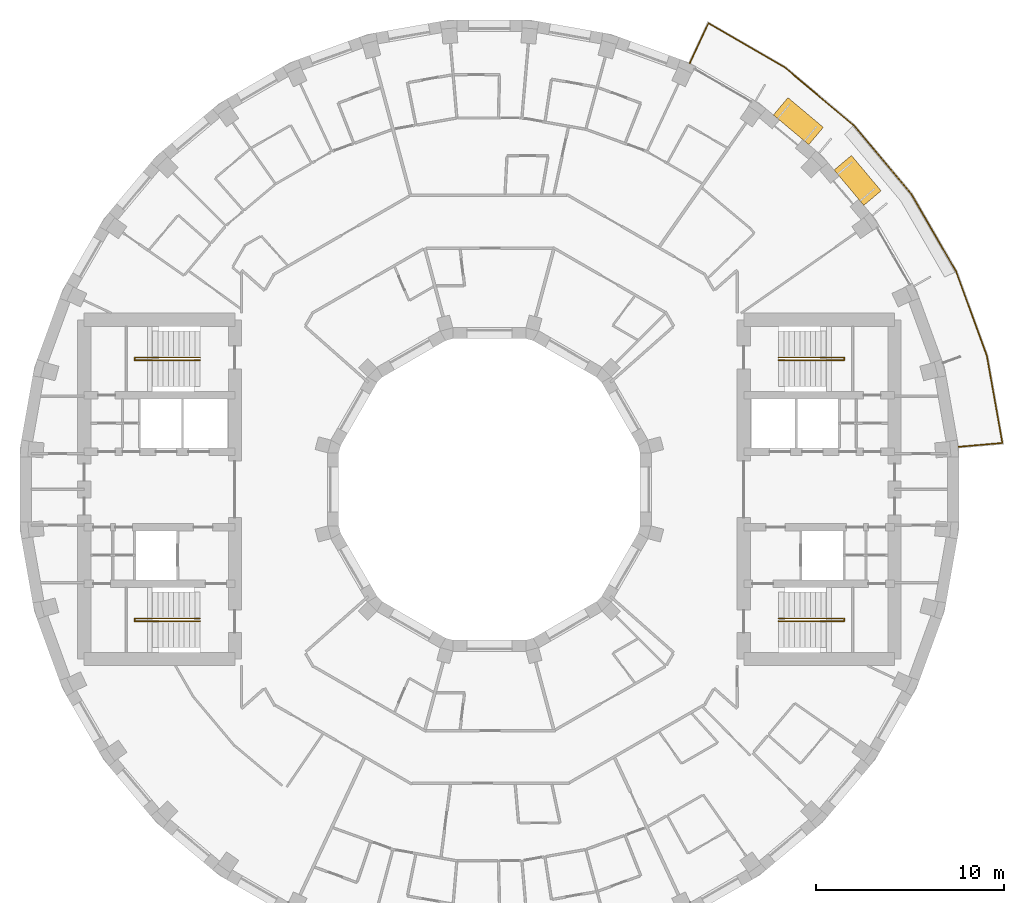
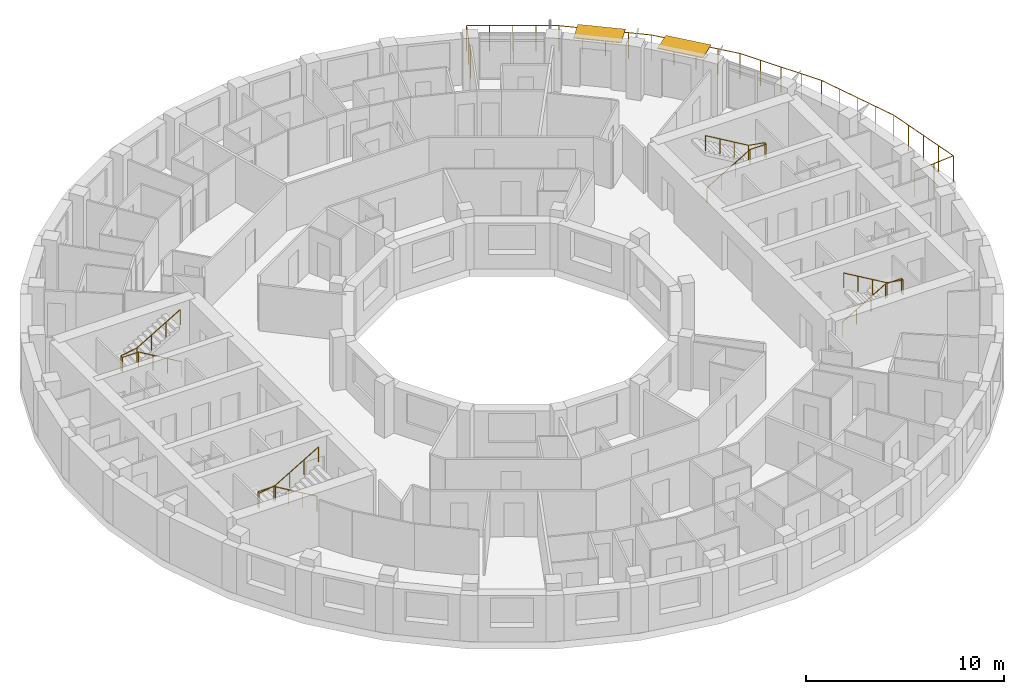
# One storey, part 15 of 15: 5 railings, 2 shading devices.
"""IFC4 building model written with IfcOpenShell, lengths in metres."""

import ifcopenshell
import ifcopenshell.guid

model = None  # the IFC model being written
_history = None  # IfcOwnerHistory: only IFC2X3 demands one
_inside = {}  # id of a spatial element -> (the spatial element, [elements in it])
_under = {}  # id of a project, library or spatial element -> (it, [spatial elements below it])
_declared = {}  # id of a project -> (the project, [libraries it declares])
_typed = {}  # id of a type object -> (the type object, [elements of that type])
_made_of = {}  # id of a material, layer set ... -> (it, [elements and type objects made of it])


def new_model(schema):
    """Start an empty IFC model of exactly this schema.

    Asked for "IFC4X3", IfcOpenShell would pick the latest addendum, in which some entities
    have other attributes; the version numbers below select the first issue.
    IFC2X3 requires an IfcOwnerHistory on every rooted entity: one is made here for all.
    """
    global model, _history
    if schema == "IFC4X3":
        model = ifcopenshell.file(schema_version=(4, 3, 0, 0))
    else:
        model = ifcopenshell.file(schema=schema)
    _inside.clear()
    _under.clear()
    _declared.clear()
    _typed.clear()
    _made_of.clear()
    _history = None
    if model.schema == "IFC2X3":
        org = make("IfcOrganization", Name="unknown")
        user = make(
            "IfcPersonAndOrganization",
            ThePerson=make("IfcPerson", FamilyName="unknown"),
            TheOrganization=org,
        )
        app = make(
            "IfcApplication",
            ApplicationDeveloper=org,
            Version="unknown",
            ApplicationFullName="unknown",
            ApplicationIdentifier="unknown",
        )
        _history = make(
            "IfcOwnerHistory",
            OwningUser=user,
            OwningApplication=app,
            ChangeAction="ADDED",
            CreationDate=0,
        )
    return model


def make(cls, **values):
    """One entity of the class cls with the attributes given. An attribute that is None is left unset."""
    return model.create_entity(
        cls, **{name: value for name, value in values.items() if value is not None}
    )


def rooted(cls, **values):
    """An entity with a GlobalId (a new one), such as an element, a storey or a relation."""
    return make(cls, GlobalId=ifcopenshell.guid.new(), OwnerHistory=_history, **values)


def si_unit(unit_type, name, prefix=None):
    """IfcSIUnit, for example si_unit("LENGTHUNIT", "METRE", prefix="MILLI")."""
    return make("IfcSIUnit", UnitType=unit_type, Prefix=prefix, Name=name)


def assignment(units):
    """IfcUnitAssignment: the units of a project."""
    return None if units is None else make("IfcUnitAssignment", Units=units)


def point(xyz):
    """IfcCartesianPoint."""
    return None if xyz is None else make("IfcCartesianPoint", Coordinates=xyz)


def direction(xyz):
    """IfcDirection."""
    return None if xyz is None else make("IfcDirection", DirectionRatios=xyz)


def frame(location, z_axis=None, x_axis=None):
    """IfcAxis2Placement3D, a coordinate frame: its origin and axes. An axis left out is left unset."""
    return make(
        "IfcAxis2Placement3D",
        Location=point(location),
        Axis=direction(z_axis),
        RefDirection=direction(x_axis),
    )


def frame_2d(location, x_axis=None):
    """IfcAxis2Placement2D, a coordinate frame in the plane: its origin and x axis."""
    return make(
        "IfcAxis2Placement2D", Location=point(location), RefDirection=direction(x_axis)
    )


def origin():
    """The frame at (0, 0, 0) with its axes left unset."""
    return frame((0.0, 0.0, 0.0))


def origin_2d():
    """The frame at (0, 0) in the plane with its x axis left unset."""
    return frame_2d((0.0, 0.0))


def place(relative_to, where):
    """IfcLocalPlacement: puts the frame where relative to a parent placement (None: the world)."""
    return make(
        "IfcLocalPlacement", PlacementRelTo=relative_to, RelativePlacement=where
    )


def context(
    kind, dimensions, precision=None, world=None, true_north=None, identifier=None
):
    """IfcGeometricRepresentationContext, for example the 3D "Model" context."""
    return make(
        "IfcGeometricRepresentationContext",
        ContextIdentifier=identifier,
        ContextType=kind,
        CoordinateSpaceDimension=dimensions,
        Precision=precision,
        WorldCoordinateSystem=world,
        TrueNorth=true_north,
    )


def subcontext(parent, identifier, kind, view, scale=None):
    """IfcGeometricRepresentationSubContext, for example "Body" below "Model"."""
    return make(
        "IfcGeometricRepresentationSubContext",
        ContextIdentifier=identifier,
        ContextType=kind,
        ParentContext=parent,
        TargetScale=scale,
        TargetView=view,
    )


def project(units=None, contexts=None):
    """IfcProject with its units and contexts."""
    return rooted(
        "IfcProject",
        Name="project",
        RepresentationContexts=contexts,
        UnitsInContext=assignment(units),
    )


def spatial(cls, under=None, at=None, **own):
    """A site, building, storey or space (cls), placed at a placement, below another one or the project."""
    s = rooted(cls, ObjectPlacement=at, **own)
    if under is not None:
        _under.setdefault(under.id(), (under, []))[1].append(s)
    return s


def profile(cls, at=None, kind="AREA", **sizes):
    """A parametric profile (cls). Its sizes go by their IFC names, for example OverallWidth=200.0."""
    return make(cls, ProfileType=kind, Position=at, **sizes)


def rectangle(**sizes):
    """IfcRectangleProfileDef."""
    return profile("IfcRectangleProfileDef", **sizes)


def circle(**sizes):
    """IfcCircleProfileDef."""
    return profile("IfcCircleProfileDef", **sizes)


def extrude(swept, where, along, depth):
    """IfcExtrudedAreaSolid: the profile swept, set in the frame where, extruded along a direction by depth."""
    return make(
        "IfcExtrudedAreaSolid",
        SweptArea=swept,
        Position=where,
        ExtrudedDirection=direction(along),
        Depth=depth,
    )


def shape(context_of_items, identifier, shape_type, items):
    """IfcShapeRepresentation: the items that make up one representation, for example the "Body"."""
    return make(
        "IfcShapeRepresentation",
        ContextOfItems=context_of_items,
        RepresentationIdentifier=identifier,
        RepresentationType=shape_type,
        Items=items,
    )


def material(Name=None, Category=None):
    """IfcMaterial."""
    return make("IfcMaterial", Name=Name, Category=Category)


def layer(
    of_material, thickness, ventilated=None, Name=None, Category=None, Priority=None
):
    """IfcMaterialLayer: one layer of a wall or slab, of a material (None: an air gap)."""
    return make(
        "IfcMaterialLayer",
        Material=of_material,
        LayerThickness=thickness,
        IsVentilated=ventilated,
        Name=Name,
        Category=Category,
        Priority=Priority,
    )


def layer_set(layers, Name=None):
    """IfcMaterialLayerSet."""
    return make("IfcMaterialLayerSet", MaterialLayers=layers, LayerSetName=Name)


def made_of(thing, what):
    """Note that an element or type object is made of a material, layer set ...; save() writes the relation."""
    if what is not None:
        _made_of.setdefault(what.id(), (what, []))[1].append(thing)
    return thing


def type_object(cls, material=None, **own):
    """A type object (cls), such as IfcWallType, which elements share."""
    return made_of(rooted(cls, **own), material)


def element(
    cls,
    number,
    at=None,
    inside=None,
    cuts=None,
    type_object=None,
    material=None,
    context=None,
    identifier="Body",
    shape_type=None,
    held_by="IfcProductDefinitionShape",
    body=None,
    shapes=None,
    **own,
):
    """One element of the class cls, such as IfcWall. Its Tag is "e" and its number.

    at: its placement. inside: the storey or other place that contains it. cuts: it is an
    opening in that element (IfcRelVoidsElement). A single representation is given by context,
    identifier, shape_type and body (its items); several are given by shapes. held_by: the class
    of the entity that holds the representations. save() writes the other relations.
    """
    e = rooted(cls, Tag="e%d" % number, ObjectPlacement=at, **own)
    if body is not None:
        shapes = [shape(context, identifier, shape_type, body)]
    if shapes is not None:
        e.Representation = make(held_by, Representations=shapes)
    if inside is not None:
        _inside.setdefault(inside.id(), (inside, []))[1].append(e)
    if cuts is not None:
        rooted(
            "IfcRelVoidsElement", RelatingBuildingElement=cuts, RelatedOpeningElement=e
        )
    if type_object is not None:
        _typed.setdefault(type_object.id(), (type_object, []))[1].append(e)
    return made_of(e, material)


def aggregate(whole, parts):
    """IfcRelAggregates: a whole, such as a stair, and the parts it consists of."""
    return rooted("IfcRelAggregates", RelatingObject=whole, RelatedObjects=parts)


def save(model, path):
    """Write the relations noted so far, then the file.

    IfcRelAggregates (storeys below a building ...), IfcRelContainedInSpatialStructure (elements
    in a storey), IfcRelDefinesByType, IfcRelAssociatesMaterial and IfcRelDeclares: one each for
    every whole, place, type object, material and project.
    """
    for whole, parts in _under.values():
        aggregate(whole, parts)
    for where, things in _inside.values():
        rooted(
            "IfcRelContainedInSpatialStructure",
            RelatedElements=things,
            RelatingStructure=where,
        )
    for kind, things in _typed.values():
        rooted("IfcRelDefinesByType", RelatedObjects=things, RelatingType=kind)
    for what, things in _made_of.values():
        rooted("IfcRelAssociatesMaterial", RelatedObjects=things, RelatingMaterial=what)
    for by, libraries in _declared.values():
        rooted("IfcRelDeclares", RelatingContext=by, RelatedDefinitions=libraries)
    model.write(path)


model = new_model("IFC4")

# Units and contexts
model_context = context("Model", 3, precision=1e-05, world=origin(), true_north=direction((0.0, 1.0)))
body_context = subcontext(model_context, "Body", "Model", "MODEL_VIEW")
ifc_project = project(units=[si_unit("LENGTHUNIT", "METRE"), si_unit("AREAUNIT", "SQUARE_METRE"), si_unit("VOLUMEUNIT", "CUBIC_METRE"), si_unit("PLANEANGLEUNIT", "RADIAN"), si_unit("MASSUNIT", "GRAM", prefix="KILO")], contexts=[model_context])

# Site, building, storey
site_placement = place(None, origin())
site = spatial("IfcSite", under=ifc_project, at=site_placement, CompositionType="ELEMENT")
building_placement = place(site_placement, origin())
building = spatial("IfcBuilding", under=site, at=building_placement, Name="Saqina Gate Tower", CompositionType="ELEMENT")
storey_placement = place(building_placement, frame((0.0, 0.0, 190.5)))
storey = spatial("IfcBuildingStorey", under=building, at=storey_placement, Name="L54", CompositionType="ELEMENT", Elevation=190.5)

# Shading devices
ifc_material_1 = material(Name="Aluminium and fabric awning", Category="aluminium")
ifc_layer = layer(ifc_material_1, 0.050048828125)
ifc_layer_set = layer_set([ifc_layer], Name="AW-TERRACE")
shading_device_type = type_object("IfcShadingDeviceType", Name="AW-TERRACE", PredefinedType="AWNING", material=ifc_layer_set)
for number, where, z_axis, x_axis, name in (
    (1, (19.537841796875, 16.394287109375, 2.52490234375), (0.0, 0.0, 1.0), (-0.642787609687, 0.766044443119, 0.0), "Terrace awning L54 facet 4"),
    (2, (16.394287109375, 19.537841796875, 2.52490234375), (0.0, 0.0, 1.0), (-0.766044443119, 0.642787609687, 0.0), "Terrace awning L54 facet 5"),
):
    element("IfcShadingDevice", number, at=place(storey_placement, frame(where, z_axis=z_axis, x_axis=x_axis)), inside=storey, type_object=shading_device_type, Name=name, PredefinedType="AWNING", context=body_context, shape_type="SweptSolid", body=[
        extrude(rectangle(XDim=2.44970703125, YDim=1.199951171875, at=origin_2d()), origin(), (0.0, 0.0, 1.0), 0.050048828125),
    ])

# Railings
ifc_material_2 = material(Name="Stainless steel", Category="steel")
railing_type_1 = type_object("IfcRailingType", Name="RL-TERRACE", PredefinedType="GUARDRAIL", material=ifc_material_2)
railing_1_placement = place(storey_placement, frame((24.838134765625, 2.25341796875, 0.0)))
element("IfcRailing", 3, at=railing_1_placement, inside=storey, type_object=railing_type_1, Name="Terrace guard L54", PredefinedType="GUARDRAIL", context=body_context, shape_type="SweptSolid", body=[
    extrude(circle(Radius=0.02392578125, at=origin_2d()), frame((0.0, 0.0, 1.576171875), z_axis=(0.996193273779, 0.087172021187, 0.0), x_axis=(-0.087172021187, 0.996193273779, 0.0)), (0.0, 0.0, 1.0), 2.388916015625),
    extrude(circle(Radius=0.02392578125, at=origin_2d()), frame((2.3798828125, 0.208251953125, 1.576171875), z_axis=(-0.175132139837, 0.984544937317, 0.0), x_axis=(-0.984544937317, -0.175132139837, 0.0)), (0.0, 0.0, 1.0), 4.68408203125),
    extrude(circle(Radius=0.02392578125, at=origin_2d()), frame((1.5595703125, 4.81982421875, 1.576171875), z_axis=(-0.342031084868, 0.939688638318, 0.0), x_axis=(-0.939688638318, -0.342031084868, 0.0)), (0.0, 0.0, 1.0), 4.763916015625),
    extrude(circle(Radius=0.02392578125, at=origin_2d()), frame((-0.06982421875, 9.29638671875, 1.576171875), z_axis=(-0.499997507361, 0.866026842905, 0.0), x_axis=(-0.866026842905, -0.499997507361, 0.0)), (0.0, 0.0, 1.0), 4.763671875),
    extrude(circle(Radius=0.02392578125, at=origin_2d()), frame((-2.45166015625, 13.421875, 1.576171875), z_axis=(-0.642786942402, 0.766045003037, 0.0), x_axis=(-0.766045003037, -0.642786942402, 0.0)), (0.0, 0.0, 1.0), 4.763671875),
    extrude(circle(Radius=0.02392578125, at=origin_2d()), frame((-5.513671875, 17.071044921875, 1.576171875), z_axis=(-0.766045003037, 0.642786942402, 0.0), x_axis=(-0.642786942402, -0.766045003037, 0.0)), (0.0, 0.0, 1.0), 4.763671875),
    extrude(circle(Radius=0.02392578125, at=origin_2d()), frame((-9.162841796875, 20.133056640625, 1.576171875), z_axis=(-0.865270419555, 0.501305396981, 0.0), x_axis=(-0.501305396981, -0.865270419555, 0.0)), (0.0, 0.0, 1.0), 4.68408203125),
    extrude(circle(Radius=0.02392578125, at=origin_2d()), frame((-13.2158203125, 22.481201171875, 1.576171875), z_axis=(-0.422684046048, -0.906277108403, 0.0), x_axis=(0.906277108403, -0.422684046048, 0.0)), (0.0, 0.0, 1.0), 2.388916015625),
    extrude(circle(Radius=0.02099609375, at=origin_2d()), origin(), (0.0, 0.0, 1.0), 1.552001953125),
    extrude(circle(Radius=0.02099609375, at=origin_2d()), frame((1.18994140625, 0.10400390625, 0.0)), (0.0, 0.0, 1.0), 1.552001953125),
    extrude(circle(Radius=0.02099609375, at=origin_2d()), frame((2.3798828125, 0.208251953125, 0.0)), (0.0, 0.0, 1.0), 1.552001953125),
    extrude(circle(Radius=0.02099609375, at=origin_2d()), frame((2.1748046875, 1.361083984375, 0.0)), (0.0, 0.0, 1.0), 1.552001953125),
    extrude(circle(Radius=0.02099609375, at=origin_2d()), frame((1.9697265625, 2.51416015625, 0.0)), (0.0, 0.0, 1.0), 1.552001953125),
    extrude(circle(Radius=0.02099609375, at=origin_2d()), frame((1.7646484375, 3.6669921875, 0.0)), (0.0, 0.0, 1.0), 1.552001953125),
    extrude(circle(Radius=0.02099609375, at=origin_2d()), frame((1.5595703125, 4.81982421875, 0.0)), (0.0, 0.0, 1.0), 1.552001953125),
    extrude(circle(Radius=0.02099609375, at=origin_2d()), frame((1.15234375, 5.93896484375, 0.0)), (0.0, 0.0, 1.0), 1.552001953125),
    extrude(circle(Radius=0.02099609375, at=origin_2d()), frame((0.744873046875, 7.05810546875, 0.0)), (0.0, 0.0, 1.0), 1.552001953125),
    extrude(circle(Radius=0.02099609375, at=origin_2d()), frame((0.33740234375, 8.17724609375, 0.0)), (0.0, 0.0, 1.0), 1.552001953125),
    extrude(circle(Radius=0.02099609375, at=origin_2d()), frame((-0.06982421875, 9.29638671875, 0.0)), (0.0, 0.0, 1.0), 1.552001953125),
    extrude(circle(Radius=0.02099609375, at=origin_2d()), frame((-0.665283203125, 10.32763671875, 0.0)), (0.0, 0.0, 1.0), 1.552001953125),
    extrude(circle(Radius=0.02099609375, at=origin_2d()), frame((-1.2607421875, 11.359130859375, 0.0)), (0.0, 0.0, 1.0), 1.552001953125),
    extrude(circle(Radius=0.02099609375, at=origin_2d()), frame((-1.856201171875, 12.390625, 0.0)), (0.0, 0.0, 1.0), 1.552001953125),
    extrude(circle(Radius=0.02099609375, at=origin_2d()), frame((-2.45166015625, 13.421875, 0.0)), (0.0, 0.0, 1.0), 1.552001953125),
    extrude(circle(Radius=0.02099609375, at=origin_2d()), frame((-3.21728515625, 14.334228515625, 0.0)), (0.0, 0.0, 1.0), 1.552001953125),
    extrude(circle(Radius=0.02099609375, at=origin_2d()), frame((-3.982666015625, 15.24658203125, 0.0)), (0.0, 0.0, 1.0), 1.552001953125),
    extrude(circle(Radius=0.02099609375, at=origin_2d()), frame((-4.748046875, 16.15869140625, 0.0)), (0.0, 0.0, 1.0), 1.552001953125),
    extrude(circle(Radius=0.02099609375, at=origin_2d()), frame((-5.513671875, 17.071044921875, 0.0)), (0.0, 0.0, 1.0), 1.552001953125),
    extrude(circle(Radius=0.02099609375, at=origin_2d()), frame((-6.426025390625, 17.83642578125, 0.0)), (0.0, 0.0, 1.0), 1.552001953125),
    extrude(circle(Radius=0.02099609375, at=origin_2d()), frame((-7.33837890625, 18.60205078125, 0.0)), (0.0, 0.0, 1.0), 1.552001953125),
    extrude(circle(Radius=0.02099609375, at=origin_2d()), frame((-8.25048828125, 19.36767578125, 0.0)), (0.0, 0.0, 1.0), 1.552001953125),
    extrude(circle(Radius=0.02099609375, at=origin_2d()), frame((-9.162841796875, 20.133056640625, 0.0)), (0.0, 0.0, 1.0), 1.552001953125),
    extrude(circle(Radius=0.02099609375, at=origin_2d()), frame((-10.176025390625, 20.72021484375, 0.0)), (0.0, 0.0, 1.0), 1.552001953125),
    extrude(circle(Radius=0.02099609375, at=origin_2d()), frame((-11.189453125, 21.30712890625, 0.0)), (0.0, 0.0, 1.0), 1.552001953125),
    extrude(circle(Radius=0.02099609375, at=origin_2d()), frame((-12.20263671875, 21.89404296875, 0.0)), (0.0, 0.0, 1.0), 1.552001953125),
    extrude(circle(Radius=0.02099609375, at=origin_2d()), frame((-13.2158203125, 22.481201171875, 0.0)), (0.0, 0.0, 1.0), 1.552001953125),
    extrude(circle(Radius=0.02099609375, at=origin_2d()), frame((-13.720703125, 21.398681640625, 0.0)), (0.0, 0.0, 1.0), 1.552001953125),
    extrude(circle(Radius=0.02099609375, at=origin_2d()), frame((-14.2255859375, 20.316162109375, 0.0)), (0.0, 0.0, 1.0), 1.552001953125),
])
ifc_material_3 = material(Name="Stainless steel", Category="steel")
railing_type_2 = type_object("IfcRailingType", Name="STAIR HANDRAIL", PredefinedType="HANDRAIL", material=ifc_material_3)
railing_2_placement = place(storey_placement, frame((15.35009765625, 6.85009765625, 0.1650390625)))
element("IfcRailing", 4, at=railing_2_placement, inside=storey, type_object=railing_type_2, Name="EXIT STAIR 1 HANDRAIL", PredefinedType="HANDRAIL", context=body_context, shape_type="SweptSolid", body=[
    extrude(circle(Radius=0.02392578125, at=origin_2d()), frame((0.0, 0.0, 0.92578125), z_axis=(0.861560626758, 0.0, 0.507654692109), x_axis=(0.0, 1.0, 0.0)), (0.0, 0.0, 1.0), 2.925048828125),
    extrude(circle(Radius=0.02392578125, at=origin_2d()), frame((2.52001953125, 0.0, 2.41064453125), z_axis=(1.0, 0.0, 0.0), x_axis=(0.0, 1.0, 0.0)), (0.0, 0.0, 1.0), 0.949951171875),
    extrude(circle(Radius=0.02392578125, at=origin_2d()), frame((3.469970703125, 0.0, 2.41064453125), z_axis=(0.0, 1.0, 0.0), x_axis=(-1.0, 0.0, 0.0)), (0.0, 0.0, 1.0), 0.14990234375),
    extrude(circle(Radius=0.02392578125, at=origin_2d()), frame((3.469970703125, 0.14990234375, 2.41064453125), z_axis=(-0.985241474778, 0.0, 0.171170197109), x_axis=(0.0, -1.0, 0.0)), (0.0, 0.0, 1.0), 0.964111328125),
    extrude(circle(Radius=0.02392578125, at=origin_2d()), frame((2.52001953125, 0.14990234375, 2.57568359375), z_axis=(-0.86152411907, 0.0, 0.507716645641), x_axis=(0.0, -1.0, 0.0)), (0.0, 0.0, 1.0), 2.925048828125),
    extrude(circle(Radius=0.02099609375, at=origin_2d()), origin(), (0.0, 0.0, 1.0), 0.90185546875),
    extrude(circle(Radius=0.02099609375, at=origin_2d()), frame((0.840087890625, 0.0, 0.494873046875)), (0.0, 0.0, 1.0), 0.90185546875),
    extrude(circle(Radius=0.02099609375, at=origin_2d()), frame((1.679931640625, 0.0, 0.989990234375)), (0.0, 0.0, 1.0), 0.90185546875),
    extrude(circle(Radius=0.02099609375, at=origin_2d()), frame((2.52001953125, 0.0, 1.48486328125)), (0.0, 0.0, 1.0), 0.90185546875),
    extrude(circle(Radius=0.02099609375, at=origin_2d()), frame((3.469970703125, 0.0, 1.48486328125)), (0.0, 0.0, 1.0), 0.90185546875),
    extrude(circle(Radius=0.02099609375, at=origin_2d()), frame((3.469970703125, 0.14990234375, 1.48486328125)), (0.0, 0.0, 1.0), 0.90185546875),
    extrude(circle(Radius=0.02099609375, at=origin_2d()), frame((2.52001953125, 0.14990234375, 1.64990234375)), (0.0, 0.0, 1.0), 0.90185546875),
    extrude(circle(Radius=0.02099609375, at=origin_2d()), frame((1.679931640625, 0.14990234375, 2.14501953125)), (0.0, 0.0, 1.0), 0.90185546875),
    extrude(circle(Radius=0.02099609375, at=origin_2d()), frame((0.840087890625, 0.14990234375, 2.639892578125)), (0.0, 0.0, 1.0), 0.90185546875),
    extrude(circle(Radius=0.02099609375, at=origin_2d()), frame((0.0, 0.14990234375, 3.135009765625)), (0.0, 0.0, 1.0), 0.90185546875),
])
railing_3_placement = place(storey_placement, frame((15.35009765625, -6.85009765625, 0.1650390625)))
element("IfcRailing", 5, at=railing_3_placement, inside=storey, type_object=railing_type_2, Name="EXIT STAIR 2 HANDRAIL", PredefinedType="HANDRAIL", context=body_context, shape_type="SweptSolid", body=[
    extrude(circle(Radius=0.02392578125, at=origin_2d()), frame((0.0, 0.0, 0.92578125), z_axis=(0.861560626758, 0.0, 0.507654692109), x_axis=(0.0, 1.0, 0.0)), (0.0, 0.0, 1.0), 2.925048828125),
    extrude(circle(Radius=0.02392578125, at=origin_2d()), frame((2.52001953125, 0.0, 2.41064453125), z_axis=(1.0, 0.0, 0.0), x_axis=(0.0, 1.0, 0.0)), (0.0, 0.0, 1.0), 0.949951171875),
    extrude(circle(Radius=0.02392578125, at=origin_2d()), frame((3.469970703125, 0.0, 2.41064453125), z_axis=(0.0, -1.0, 0.0), x_axis=(1.0, 0.0, 0.0)), (0.0, 0.0, 1.0), 0.14990234375),
    extrude(circle(Radius=0.02392578125, at=origin_2d()), frame((3.469970703125, -0.14990234375, 2.41064453125), z_axis=(-0.985241474778, 0.0, 0.171170197109), x_axis=(0.0, -1.0, 0.0)), (0.0, 0.0, 1.0), 0.964111328125),
    extrude(circle(Radius=0.02392578125, at=origin_2d()), frame((2.52001953125, -0.14990234375, 2.57568359375), z_axis=(-0.86152411907, 0.0, 0.507716645641), x_axis=(0.0, -1.0, 0.0)), (0.0, 0.0, 1.0), 2.925048828125),
    extrude(circle(Radius=0.02099609375, at=origin_2d()), origin(), (0.0, 0.0, 1.0), 0.90185546875),
    extrude(circle(Radius=0.02099609375, at=origin_2d()), frame((0.840087890625, 0.0, 0.494873046875)), (0.0, 0.0, 1.0), 0.90185546875),
    extrude(circle(Radius=0.02099609375, at=origin_2d()), frame((1.679931640625, 0.0, 0.989990234375)), (0.0, 0.0, 1.0), 0.90185546875),
    extrude(circle(Radius=0.02099609375, at=origin_2d()), frame((2.52001953125, 0.0, 1.48486328125)), (0.0, 0.0, 1.0), 0.90185546875),
    extrude(circle(Radius=0.02099609375, at=origin_2d()), frame((3.469970703125, 0.0, 1.48486328125)), (0.0, 0.0, 1.0), 0.90185546875),
    extrude(circle(Radius=0.02099609375, at=origin_2d()), frame((3.469970703125, -0.14990234375, 1.48486328125)), (0.0, 0.0, 1.0), 0.90185546875),
    extrude(circle(Radius=0.02099609375, at=origin_2d()), frame((2.52001953125, -0.14990234375, 1.64990234375)), (0.0, 0.0, 1.0), 0.90185546875),
    extrude(circle(Radius=0.02099609375, at=origin_2d()), frame((1.679931640625, -0.14990234375, 2.14501953125)), (0.0, 0.0, 1.0), 0.90185546875),
    extrude(circle(Radius=0.02099609375, at=origin_2d()), frame((0.840087890625, -0.14990234375, 2.639892578125)), (0.0, 0.0, 1.0), 0.90185546875),
    extrude(circle(Radius=0.02099609375, at=origin_2d()), frame((0.0, -0.14990234375, 3.135009765625)), (0.0, 0.0, 1.0), 0.90185546875),
])
railing_4_placement = place(storey_placement, frame((-15.35009765625, 6.85009765625, 0.1650390625)))
element("IfcRailing", 6, at=railing_4_placement, inside=storey, type_object=railing_type_2, Name="EXIT STAIR 3 HANDRAIL", PredefinedType="HANDRAIL", context=body_context, shape_type="SweptSolid", body=[
    extrude(circle(Radius=0.02392578125, at=origin_2d()), frame((0.0, 0.0, 0.92578125), z_axis=(-0.861560626758, 0.0, 0.507654692109), x_axis=(0.0, -1.0, 0.0)), (0.0, 0.0, 1.0), 2.925048828125),
    extrude(circle(Radius=0.02392578125, at=origin_2d()), frame((-2.52001953125, 0.0, 2.41064453125), z_axis=(-1.0, 0.0, 0.0), x_axis=(0.0, -1.0, 0.0)), (0.0, 0.0, 1.0), 0.949951171875),
    extrude(circle(Radius=0.02392578125, at=origin_2d()), frame((-3.469970703125, 0.0, 2.41064453125), z_axis=(0.0, 1.0, 0.0), x_axis=(-1.0, 0.0, 0.0)), (0.0, 0.0, 1.0), 0.14990234375),
    extrude(circle(Radius=0.02392578125, at=origin_2d()), frame((-3.469970703125, 0.14990234375, 2.41064453125), z_axis=(0.985241474778, 0.0, 0.171170197109), x_axis=(0.0, 1.0, 0.0)), (0.0, 0.0, 1.0), 0.964111328125),
    extrude(circle(Radius=0.02392578125, at=origin_2d()), frame((-2.52001953125, 0.14990234375, 2.57568359375), z_axis=(0.86152411907, 0.0, 0.507716645641), x_axis=(0.0, 1.0, 0.0)), (0.0, 0.0, 1.0), 2.925048828125),
    extrude(circle(Radius=0.02099609375, at=origin_2d()), origin(), (0.0, 0.0, 1.0), 0.90185546875),
    extrude(circle(Radius=0.02099609375, at=origin_2d()), frame((-0.840087890625, 0.0, 0.494873046875)), (0.0, 0.0, 1.0), 0.90185546875),
    extrude(circle(Radius=0.02099609375, at=origin_2d()), frame((-1.679931640625, 0.0, 0.989990234375)), (0.0, 0.0, 1.0), 0.90185546875),
    extrude(circle(Radius=0.02099609375, at=origin_2d()), frame((-2.52001953125, 0.0, 1.48486328125)), (0.0, 0.0, 1.0), 0.90185546875),
    extrude(circle(Radius=0.02099609375, at=origin_2d()), frame((-3.469970703125, 0.0, 1.48486328125)), (0.0, 0.0, 1.0), 0.90185546875),
    extrude(circle(Radius=0.02099609375, at=origin_2d()), frame((-3.469970703125, 0.14990234375, 1.48486328125)), (0.0, 0.0, 1.0), 0.90185546875),
    extrude(circle(Radius=0.02099609375, at=origin_2d()), frame((-2.52001953125, 0.14990234375, 1.64990234375)), (0.0, 0.0, 1.0), 0.90185546875),
    extrude(circle(Radius=0.02099609375, at=origin_2d()), frame((-1.679931640625, 0.14990234375, 2.14501953125)), (0.0, 0.0, 1.0), 0.90185546875),
    extrude(circle(Radius=0.02099609375, at=origin_2d()), frame((-0.840087890625, 0.14990234375, 2.639892578125)), (0.0, 0.0, 1.0), 0.90185546875),
    extrude(circle(Radius=0.02099609375, at=origin_2d()), frame((0.0, 0.14990234375, 3.135009765625)), (0.0, 0.0, 1.0), 0.90185546875),
])
railing_5_placement = place(storey_placement, frame((-15.35009765625, -6.85009765625, 0.1650390625)))
element("IfcRailing", 7, at=railing_5_placement, inside=storey, type_object=railing_type_2, Name="EXIT STAIR 4 HANDRAIL", PredefinedType="HANDRAIL", context=body_context, shape_type="SweptSolid", body=[
    extrude(circle(Radius=0.02392578125, at=origin_2d()), frame((0.0, 0.0, 0.92578125), z_axis=(-0.861560626758, 0.0, 0.507654692109), x_axis=(0.0, -1.0, 0.0)), (0.0, 0.0, 1.0), 2.925048828125),
    extrude(circle(Radius=0.02392578125, at=origin_2d()), frame((-2.52001953125, 0.0, 2.41064453125), z_axis=(-1.0, 0.0, 0.0), x_axis=(0.0, -1.0, 0.0)), (0.0, 0.0, 1.0), 0.949951171875),
    extrude(circle(Radius=0.02392578125, at=origin_2d()), frame((-3.469970703125, 0.0, 2.41064453125), z_axis=(0.0, -1.0, 0.0), x_axis=(1.0, 0.0, 0.0)), (0.0, 0.0, 1.0), 0.14990234375),
    extrude(circle(Radius=0.02392578125, at=origin_2d()), frame((-3.469970703125, -0.14990234375, 2.41064453125), z_axis=(0.985241474778, 0.0, 0.171170197109), x_axis=(0.0, 1.0, 0.0)), (0.0, 0.0, 1.0), 0.964111328125),
    extrude(circle(Radius=0.02392578125, at=origin_2d()), frame((-2.52001953125, -0.14990234375, 2.57568359375), z_axis=(0.86152411907, 0.0, 0.507716645641), x_axis=(0.0, 1.0, 0.0)), (0.0, 0.0, 1.0), 2.925048828125),
    extrude(circle(Radius=0.02099609375, at=origin_2d()), origin(), (0.0, 0.0, 1.0), 0.90185546875),
    extrude(circle(Radius=0.02099609375, at=origin_2d()), frame((-0.840087890625, 0.0, 0.494873046875)), (0.0, 0.0, 1.0), 0.90185546875),
    extrude(circle(Radius=0.02099609375, at=origin_2d()), frame((-1.679931640625, 0.0, 0.989990234375)), (0.0, 0.0, 1.0), 0.90185546875),
    extrude(circle(Radius=0.02099609375, at=origin_2d()), frame((-2.52001953125, 0.0, 1.48486328125)), (0.0, 0.0, 1.0), 0.90185546875),
    extrude(circle(Radius=0.02099609375, at=origin_2d()), frame((-3.469970703125, 0.0, 1.48486328125)), (0.0, 0.0, 1.0), 0.90185546875),
    extrude(circle(Radius=0.02099609375, at=origin_2d()), frame((-3.469970703125, -0.14990234375, 1.48486328125)), (0.0, 0.0, 1.0), 0.90185546875),
    extrude(circle(Radius=0.02099609375, at=origin_2d()), frame((-2.52001953125, -0.14990234375, 1.64990234375)), (0.0, 0.0, 1.0), 0.90185546875),
    extrude(circle(Radius=0.02099609375, at=origin_2d()), frame((-1.679931640625, -0.14990234375, 2.14501953125)), (0.0, 0.0, 1.0), 0.90185546875),
    extrude(circle(Radius=0.02099609375, at=origin_2d()), frame((-0.840087890625, -0.14990234375, 2.639892578125)), (0.0, 0.0, 1.0), 0.90185546875),
    extrude(circle(Radius=0.02099609375, at=origin_2d()), frame((0.0, -0.14990234375, 3.135009765625)), (0.0, 0.0, 1.0), 0.90185546875),
])

save(model, "model.ifc")
